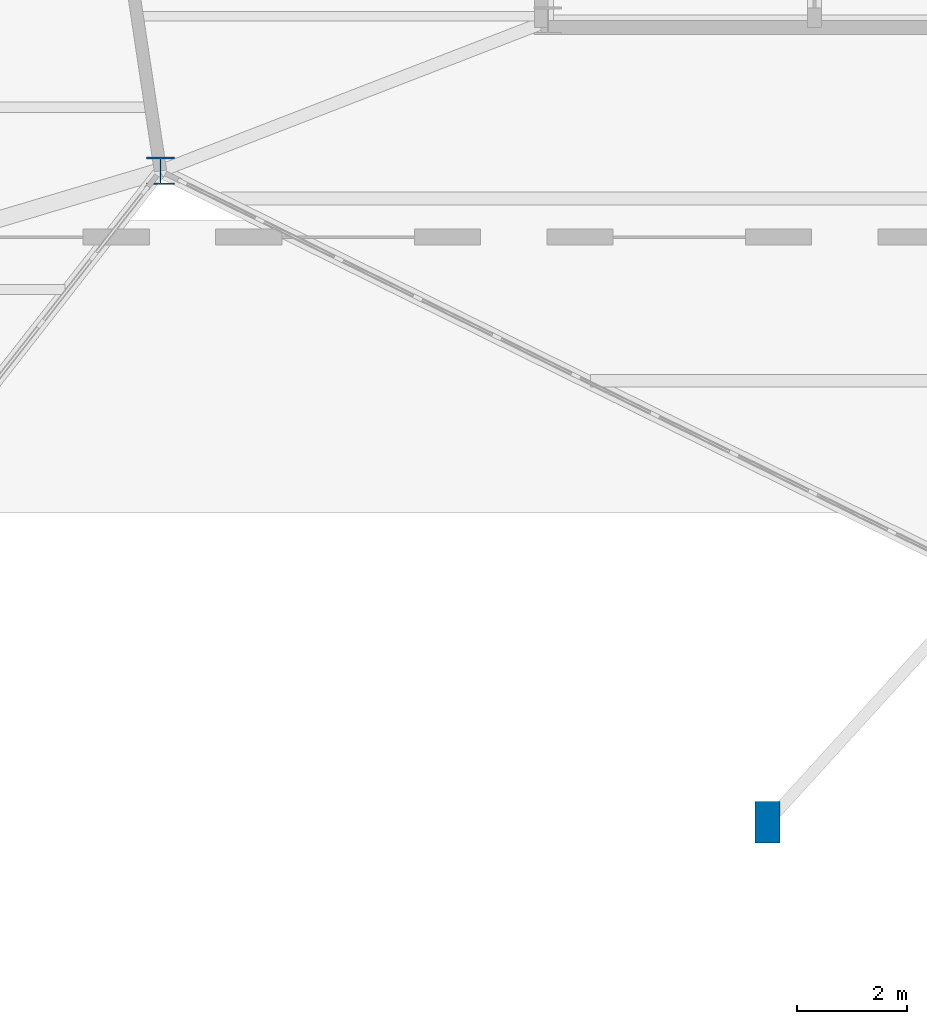
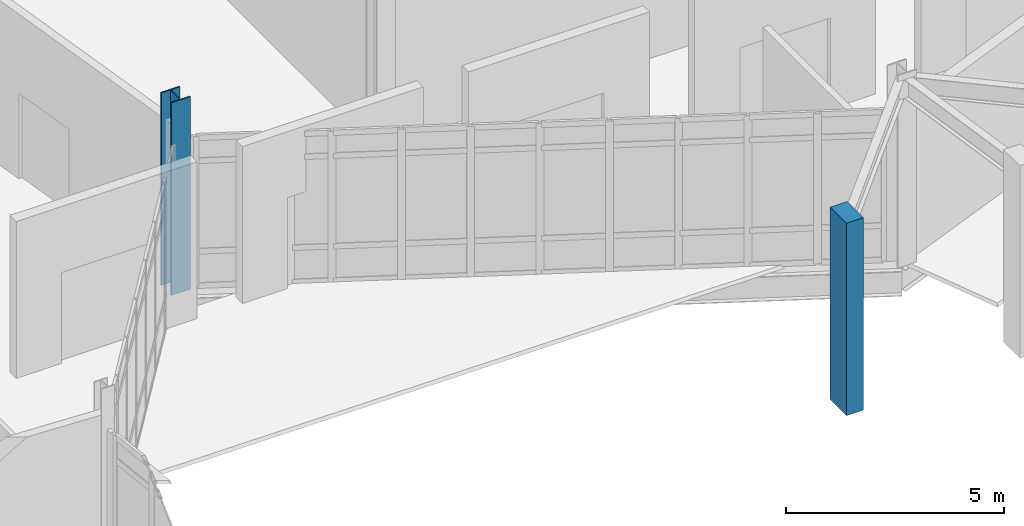
# One storey, part 5 of 113: 2 columns.
"""IFC4 building model written with IfcOpenShell, lengths in metres."""

from ifc_helpers import new_model, si_unit, direction, frame, origin, origin_2d, place, context, subcontext, project, spatial, rectangle, i_section, extrude, material, material_profile, profile_set, type_object, element, save


model = new_model("IFC4")

# Units and contexts
model_context = context("Model", 3, precision=1e-05, world=origin(), true_north=direction((0.0, 1.0)))
body_context = subcontext(model_context, "Body", "Model", "MODEL_VIEW")
ifc_project = project(units=[si_unit("LENGTHUNIT", "METRE"), si_unit("AREAUNIT", "SQUARE_METRE"), si_unit("VOLUMEUNIT", "CUBIC_METRE"), si_unit("PLANEANGLEUNIT", "RADIAN"), si_unit("MASSUNIT", "GRAM", prefix="KILO")], contexts=[model_context])

# Site, building, storey
site_placement = place(None, origin())
site = spatial("IfcSite", under=ifc_project, at=site_placement, CompositionType="ELEMENT")
building_placement = place(site_placement, origin())
building = spatial("IfcBuilding", under=site, at=building_placement, Name="Tameran Prism Museum", CompositionType="ELEMENT")
storey_placement = place(building_placement, origin())
storey = spatial("IfcBuildingStorey", under=building, at=storey_placement, Name="L00", CompositionType="ELEMENT", Elevation=0.0)

# Columns
ifc_material_1 = material(Name="Concrete N40 (40 MPa)", Category="concrete")
ifc_material_profile_1 = material_profile(ifc_material_1, rectangle(XDim=0.449951171875, YDim=0.75, at=origin_2d()))
ifc_profile_set_1 = profile_set([ifc_material_profile_1])
column_type_1 = type_object("IfcColumnType", Name="COL-PIL450", PredefinedType="PILASTER", material=ifc_profile_set_1)
column_1_placement = place(storey_placement, frame((62.0, 18.39990234375, 0.0), z_axis=(0.0, 0.0, 1.0), x_axis=(1.0, 0.0, 0.0)))
element("IfcColumn", 1, at=column_1_placement, inside=storey, type_object=column_type_1, Name="Column CP-01 L00", PredefinedType="PILASTER", context=body_context, shape_type="SweptSolid", body=[
    extrude(rectangle(XDim=0.449951171875, YDim=0.75, at=origin_2d()), origin(), (0.0, 0.0, 1.0), 5.39990234375),
])
ifc_material_2 = material(Name="Steel Grade 350 (350 MPa)", Category="steel")
ifc_material_profile_2 = material_profile(ifc_material_2, i_section(OverallWidth=0.5, OverallDepth=0.5, WebThickness=0.02197265625, FlangeThickness=0.035888671875, at=origin_2d()))
ifc_profile_set_2 = profile_set([ifc_material_profile_2])
column_type_2 = type_object("IfcColumnType", Name="COL-WC500", PredefinedType="COLUMN", material=ifc_profile_set_2)
column_2_placement = place(storey_placement, frame((51.0, 30.199951171875, 0.0), z_axis=(0.0, 0.0, 1.0), x_axis=(1.0, 0.0, 0.0)))
element("IfcColumn", 2, at=column_2_placement, inside=storey, type_object=column_type_2, Name="Column CV-27 L00", PredefinedType="COLUMN", context=body_context, shape_type="SweptSolid", body=[
    extrude(i_section(OverallWidth=0.5, OverallDepth=0.5, WebThickness=0.02197265625, FlangeThickness=0.035888671875, at=origin_2d()), origin(), (0.0, 0.0, 1.0), 5.39990234375),
])

save(model, "model.ifc")
